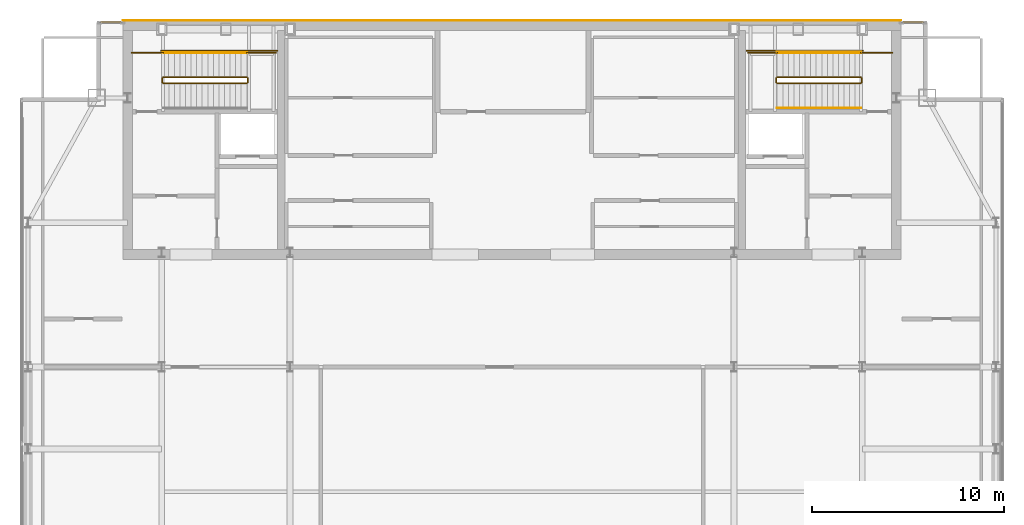
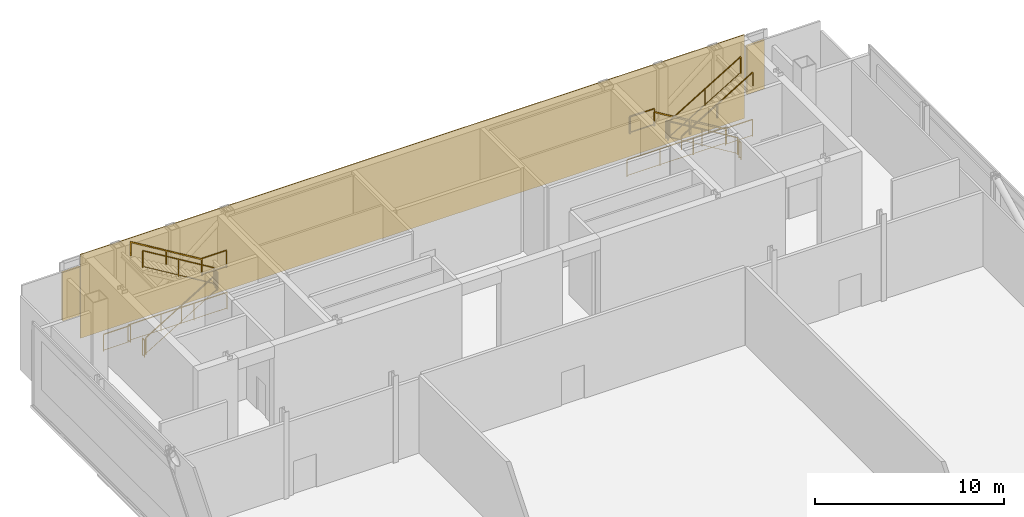
# One storey, part 22 of 22: 17 railings, 2 shading devices, 1 covering.
"""IFC4 building model written with IfcOpenShell, lengths in metres."""

from ifc_helpers import new_model, si_unit, direction, frame, origin, origin_2d, place, context, subcontext, project, spatial, polyline, rectangle, outline, extrude, material, layer, layer_set, type_object, element, save


model = new_model("IFC4")

# Units and contexts
model_context = context("Model", 3, precision=1e-05, world=origin(), true_north=direction((0.0, 1.0)))
body_context = subcontext(model_context, "Body", "Model", "MODEL_VIEW")
ifc_project = project(units=[si_unit("LENGTHUNIT", "METRE"), si_unit("AREAUNIT", "SQUARE_METRE"), si_unit("VOLUMEUNIT", "CUBIC_METRE"), si_unit("PLANEANGLEUNIT", "RADIAN"), si_unit("MASSUNIT", "GRAM", prefix="KILO")], contexts=[model_context])

# Site, building, storey
site_placement = place(None, origin())
site = spatial("IfcSite", under=ifc_project, at=site_placement, CompositionType="ELEMENT")
building_placement = place(site_placement, origin())
building = spatial("IfcBuilding", under=site, at=building_placement, Name="Khoronbel Lancet Exchange", CompositionType="ELEMENT")
storey_placement = place(building_placement, frame((0.0, 0.0, 373.0)))
storey = spatial("IfcBuildingStorey", under=building, at=storey_placement, Name="L95", CompositionType="ELEMENT", Elevation=373.0)

# Covering
ifc_material_1 = material(Name="Honed Egyptian Limestone & Bronze Rainscreen", Category="masonry")
ifc_layer_1 = layer(ifc_material_1, 0.050048828125, Name="Honed Egyptian Limestone & Bronze Rainscreen")
ifc_layer_set_1 = layer_set([ifc_layer_1], Name="Honed Egyptian Limestone & Bronze Rainscreen")
covering_type = type_object("IfcCoveringType", Name="COV-CLAD1", PredefinedType="CLADDING", material=ifc_layer_set_1)
covering_placement = place(storey_placement, origin())
element("IfcCovering", 1, at=covering_placement, inside=storey, type_object=covering_type, Name="Level L95 north rear-core stone and bronze rainscreen cladding", PredefinedType="CLADDING", context=body_context, shape_type="SweptSolid", body=[
    extrude(outline(polyline([(16.199951171875, 53.699951171875), (56.699951171875, 53.699951171875), (56.699951171875, 53.75), (16.199951171875, 53.75), (16.199951171875, 53.699951171875)])), origin(), (0.0, 0.0, 1.0), 5.39990234375),
])

# Railings
ifc_material_2 = material(Name="Painted Steel Balustrade", Category="steel")
railing_type_1 = type_object("IfcRailingType", Name="RL-STG110", PredefinedType="GUARDRAIL", material=ifc_material_2)
railing_1_placement = place(storey_placement, frame((18.300048828125, 50.449951171875, 0.175048828125)))
element("IfcRailing", 2, at=railing_1_placement, inside=storey, type_object=railing_type_1, Name="L95 ST1 stair guard 1", PredefinedType="GUARDRAIL", context=body_context, shape_type="SweptSolid", body=[
    extrude(rectangle(XDim=0.048095703125, YDim=0.048095703125, at=origin_2d()), frame((0.0, 0.0, 1.09619140625), z_axis=(0.856179964356, 0.0, 0.516677722218), x_axis=(0.0, 1.0, 0.0)), (0.0, 0.0, 1.0), 5.08056640625),
    extrude(rectangle(XDim=0.02392578125, YDim=0.02392578125, at=origin_2d()), frame((0.0, 0.0, 0.080078125), z_axis=(0.856179964356, 0.0, 0.516677722218), x_axis=(0.0, 1.0, 0.0)), (0.0, 0.0, 1.0), 5.08056640625),
    extrude(rectangle(XDim=0.0419921875, YDim=0.0419921875, at=origin_2d()), origin(), (0.0, 0.0, 1.0), 1.072021484375),
    extrude(rectangle(XDim=0.0419921875, YDim=0.0419921875, at=origin_2d()), frame((2.1748046875, 0.0, 1.3125)), (0.0, 0.0, 1.0), 1.072021484375),
    extrude(rectangle(XDim=0.0419921875, YDim=0.0419921875, at=origin_2d()), frame((4.349853515625, 0.0, 2.625)), (0.0, 0.0, 1.0), 1.072021484375),
])
railing_2_placement = place(storey_placement, frame((22.699951171875, 50.5, 2.800048828125)))
element("IfcRailing", 3, at=railing_2_placement, inside=storey, type_object=railing_type_1, Name="L95 ST1 stair guard 2", PredefinedType="GUARDRAIL", context=body_context, shape_type="SweptSolid", body=[
    extrude(rectangle(XDim=0.048095703125, YDim=0.048095703125, at=origin_2d()), frame((0.0, 0.0, 1.09619140625), z_axis=(0.0, 1.0, 0.0), x_axis=(-1.0, 0.0, 0.0)), (0.0, 0.0, 1.0), 0.219970703125),
    extrude(rectangle(XDim=0.02392578125, YDim=0.02392578125, at=origin_2d()), frame((0.0, 0.0, 0.080078125), z_axis=(0.0, 1.0, 0.0), x_axis=(-1.0, 0.0, 0.0)), (0.0, 0.0, 1.0), 0.219970703125),
    extrude(rectangle(XDim=0.0419921875, YDim=0.0419921875, at=origin_2d()), origin(), (0.0, 0.0, 1.0), 1.072021484375),
    extrude(rectangle(XDim=0.0419921875, YDim=0.0419921875, at=origin_2d()), frame((0.0, 0.219970703125, 0.0)), (0.0, 0.0, 1.0), 1.072021484375),
])
railing_3_placement = place(storey_placement, frame((22.64990234375, 52.050048828125, 2.800048828125)))
element("IfcRailing", 4, at=railing_3_placement, inside=storey, type_object=railing_type_1, Name="L95 ST1 stair guard 3", PredefinedType="GUARDRAIL", context=body_context, shape_type="SweptSolid", body=[
    extrude(rectangle(XDim=0.048095703125, YDim=0.048095703125, at=origin_2d()), frame((0.0, 0.0, 1.09619140625), z_axis=(1.0, 0.0, 0.0), x_axis=(0.0, 1.0, 0.0)), (0.0, 0.0, 1.0), 1.5),
    extrude(rectangle(XDim=0.02392578125, YDim=0.02392578125, at=origin_2d()), frame((0.0, 0.0, 0.080078125), z_axis=(1.0, 0.0, 0.0), x_axis=(0.0, 1.0, 0.0)), (0.0, 0.0, 1.0), 1.5),
    extrude(rectangle(XDim=0.0419921875, YDim=0.0419921875, at=origin_2d()), origin(), (0.0, 0.0, 1.0), 1.072021484375),
    extrude(rectangle(XDim=0.0419921875, YDim=0.0419921875, at=origin_2d()), frame((1.5, 0.0, 0.0)), (0.0, 0.0, 1.0), 1.072021484375),
])
railing_4_placement = place(storey_placement, frame((22.64990234375, 50.77001953125, 2.97509765625)))
element("IfcRailing", 5, at=railing_4_placement, inside=storey, type_object=railing_type_1, Name="L95 ST1 stair guard 4", PredefinedType="GUARDRAIL", context=body_context, shape_type="SweptSolid", body=[
    extrude(rectangle(XDim=0.048095703125, YDim=0.048095703125, at=origin_2d()), frame((0.0, 0.0, 1.09619140625), z_axis=(-0.856179964356, 0.0, 0.516677722218), x_axis=(0.0, -1.0, 0.0)), (0.0, 0.0, 1.0), 5.08056640625),
    extrude(rectangle(XDim=0.02392578125, YDim=0.02392578125, at=origin_2d()), frame((0.0, 0.0, 0.080078125), z_axis=(-0.856179964356, 0.0, 0.516677722218), x_axis=(0.0, -1.0, 0.0)), (0.0, 0.0, 1.0), 5.08056640625),
    extrude(rectangle(XDim=0.0419921875, YDim=0.0419921875, at=origin_2d()), origin(), (0.0, 0.0, 1.0), 1.072021484375),
    extrude(rectangle(XDim=0.0419921875, YDim=0.0419921875, at=origin_2d()), frame((-2.1748046875, 0.0, 1.3125)), (0.0, 0.0, 1.0), 1.072021484375),
    extrude(rectangle(XDim=0.0419921875, YDim=0.0419921875, at=origin_2d()), frame((-4.349853515625, 0.0, 2.625)), (0.0, 0.0, 1.0), 1.072021484375),
])
railing_5_placement = place(storey_placement, frame((18.25, 50.5, 0.0)))
element("IfcRailing", 6, at=railing_5_placement, inside=storey, type_object=railing_type_1, Name="L95 ST1 stair guard 5", PredefinedType="GUARDRAIL", context=body_context, shape_type="SweptSolid", body=[
    extrude(rectangle(XDim=0.048095703125, YDim=0.048095703125, at=origin_2d()), frame((0.0, 0.0, 1.09619140625), z_axis=(0.0, 1.0, 0.0), x_axis=(-1.0, 0.0, 0.0)), (0.0, 0.0, 1.0), 0.219970703125),
    extrude(rectangle(XDim=0.02392578125, YDim=0.02392578125, at=origin_2d()), frame((0.0, 0.0, 0.080078125), z_axis=(0.0, 1.0, 0.0), x_axis=(-1.0, 0.0, 0.0)), (0.0, 0.0, 1.0), 0.219970703125),
    extrude(rectangle(XDim=0.0419921875, YDim=0.0419921875, at=origin_2d()), origin(), (0.0, 0.0, 1.0), 1.072021484375),
    extrude(rectangle(XDim=0.0419921875, YDim=0.0419921875, at=origin_2d()), frame((0.0, 0.219970703125, 0.0)), (0.0, 0.0, 1.0), 1.072021484375),
])
railing_6_placement = place(storey_placement, frame((16.64990234375, 52.050048828125, 0.0)))
element("IfcRailing", 7, at=railing_6_placement, inside=storey, type_object=railing_type_1, Name="L95 ST1 stair guard 6", PredefinedType="GUARDRAIL", context=body_context, shape_type="SweptSolid", body=[
    extrude(rectangle(XDim=0.048095703125, YDim=0.048095703125, at=origin_2d()), frame((0.0, 0.0, 1.09619140625), z_axis=(1.0, 0.0, 0.0), x_axis=(0.0, 1.0, 0.0)), (0.0, 0.0, 1.0), 1.650146484375),
    extrude(rectangle(XDim=0.02392578125, YDim=0.02392578125, at=origin_2d()), frame((0.0, 0.0, 0.080078125), z_axis=(1.0, 0.0, 0.0), x_axis=(0.0, 1.0, 0.0)), (0.0, 0.0, 1.0), 1.650146484375),
    extrude(rectangle(XDim=0.0419921875, YDim=0.0419921875, at=origin_2d()), origin(), (0.0, 0.0, 1.0), 1.072021484375),
    extrude(rectangle(XDim=0.0419921875, YDim=0.0419921875, at=origin_2d()), frame((1.650146484375, 0.0, 0.0)), (0.0, 0.0, 1.0), 1.072021484375),
])
railing_7_placement = place(storey_placement, frame((18.199951171875, 52.14990234375, 0.0)))
element("IfcRailing", 8, at=railing_7_placement, inside=storey, type_object=railing_type_1, Name="L95 ST1 stair guard 7", PredefinedType="GUARDRAIL", context=body_context, shape_type="SweptSolid", body=[
    extrude(rectangle(XDim=0.048095703125, YDim=0.048095703125, at=origin_2d()), frame((0.0, 0.0, 1.09619140625), z_axis=(1.0, 0.0, 0.0), x_axis=(0.0, 1.0, 0.0)), (0.0, 0.0, 1.0), 6.050048828125),
    extrude(rectangle(XDim=0.02392578125, YDim=0.02392578125, at=origin_2d()), frame((0.0, 0.0, 0.080078125), z_axis=(1.0, 0.0, 0.0), x_axis=(0.0, 1.0, 0.0)), (0.0, 0.0, 1.0), 6.050048828125),
    extrude(rectangle(XDim=0.0419921875, YDim=0.0419921875, at=origin_2d()), origin(), (0.0, 0.0, 1.0), 1.072021484375),
    extrude(rectangle(XDim=0.0419921875, YDim=0.0419921875, at=origin_2d()), frame((2.0166015625, 0.0, 0.0)), (0.0, 0.0, 1.0), 1.072021484375),
    extrude(rectangle(XDim=0.0419921875, YDim=0.0419921875, at=origin_2d()), frame((4.033447265625, 0.0, 0.0)), (0.0, 0.0, 1.0), 1.072021484375),
    extrude(rectangle(XDim=0.0419921875, YDim=0.0419921875, at=origin_2d()), frame((6.050048828125, 0.0, 0.0)), (0.0, 0.0, 1.0), 1.072021484375),
])
railing_8_placement = place(storey_placement, frame((54.60009765625, 50.77001953125, 0.175048828125)))
element("IfcRailing", 9, at=railing_8_placement, inside=storey, type_object=railing_type_1, Name="L95 ST2 stair guard 1", PredefinedType="GUARDRAIL", context=body_context, shape_type="SweptSolid", body=[
    extrude(rectangle(XDim=0.048095703125, YDim=0.048095703125, at=origin_2d()), frame((0.0, 0.0, 1.09619140625), z_axis=(-0.856192791889, 0.0, 0.516656465282), x_axis=(0.0, -1.0, 0.0)), (0.0, 0.0, 1.0), 5.080810546875),
    extrude(rectangle(XDim=0.02392578125, YDim=0.02392578125, at=origin_2d()), frame((0.0, 0.0, 0.080078125), z_axis=(-0.856192791889, 0.0, 0.516656465282), x_axis=(0.0, -1.0, 0.0)), (0.0, 0.0, 1.0), 5.080810546875),
    extrude(rectangle(XDim=0.0419921875, YDim=0.0419921875, at=origin_2d()), origin(), (0.0, 0.0, 1.0), 1.072021484375),
    extrude(rectangle(XDim=0.0419921875, YDim=0.0419921875, at=origin_2d()), frame((-2.175048828125, 0.0, 1.3125)), (0.0, 0.0, 1.0), 1.072021484375),
    extrude(rectangle(XDim=0.0419921875, YDim=0.0419921875, at=origin_2d()), frame((-4.35009765625, 0.0, 2.625)), (0.0, 0.0, 1.0), 1.072021484375),
])
railing_9_placement = place(storey_placement, frame((50.199951171875, 50.719970703125, 2.800048828125)))
element("IfcRailing", 10, at=railing_9_placement, inside=storey, type_object=railing_type_1, Name="L95 ST2 stair guard 2", PredefinedType="GUARDRAIL", context=body_context, shape_type="SweptSolid", body=[
    extrude(rectangle(XDim=0.048095703125, YDim=0.048095703125, at=origin_2d()), frame((0.0, 0.0, 1.09619140625), z_axis=(0.0, -1.0, 0.0), x_axis=(1.0, 0.0, 0.0)), (0.0, 0.0, 1.0), 0.219970703125),
    extrude(rectangle(XDim=0.02392578125, YDim=0.02392578125, at=origin_2d()), frame((0.0, 0.0, 0.080078125), z_axis=(0.0, -1.0, 0.0), x_axis=(1.0, 0.0, 0.0)), (0.0, 0.0, 1.0), 0.219970703125),
    extrude(rectangle(XDim=0.0419921875, YDim=0.0419921875, at=origin_2d()), origin(), (0.0, 0.0, 1.0), 1.072021484375),
    extrude(rectangle(XDim=0.0419921875, YDim=0.0419921875, at=origin_2d()), frame((0.0, -0.219970703125, 0.0)), (0.0, 0.0, 1.0), 1.072021484375),
])
railing_10_placement = place(storey_placement, frame((50.25, 52.050048828125, 2.800048828125)))
element("IfcRailing", 11, at=railing_10_placement, inside=storey, type_object=railing_type_1, Name="L95 ST2 stair guard 3", PredefinedType="GUARDRAIL", context=body_context, shape_type="SweptSolid", body=[
    extrude(rectangle(XDim=0.048095703125, YDim=0.048095703125, at=origin_2d()), frame((0.0, 0.0, 1.09619140625), z_axis=(-1.0, 0.0, 0.0), x_axis=(0.0, -1.0, 0.0)), (0.0, 0.0, 1.0), 1.5),
    extrude(rectangle(XDim=0.02392578125, YDim=0.02392578125, at=origin_2d()), frame((0.0, 0.0, 0.080078125), z_axis=(-1.0, 0.0, 0.0), x_axis=(0.0, -1.0, 0.0)), (0.0, 0.0, 1.0), 1.5),
    extrude(rectangle(XDim=0.0419921875, YDim=0.0419921875, at=origin_2d()), origin(), (0.0, 0.0, 1.0), 1.072021484375),
    extrude(rectangle(XDim=0.0419921875, YDim=0.0419921875, at=origin_2d()), frame((-1.5, 0.0, 0.0)), (0.0, 0.0, 1.0), 1.072021484375),
])
railing_11_placement = place(storey_placement, frame((50.25, 50.449951171875, 2.97509765625)))
element("IfcRailing", 12, at=railing_11_placement, inside=storey, type_object=railing_type_1, Name="L95 ST2 stair guard 4", PredefinedType="GUARDRAIL", context=body_context, shape_type="SweptSolid", body=[
    extrude(rectangle(XDim=0.048095703125, YDim=0.048095703125, at=origin_2d()), frame((0.0, 0.0, 1.09619140625), z_axis=(0.856192791889, 0.0, 0.516656465282), x_axis=(0.0, 1.0, 0.0)), (0.0, 0.0, 1.0), 5.080810546875),
    extrude(rectangle(XDim=0.02392578125, YDim=0.02392578125, at=origin_2d()), frame((0.0, 0.0, 0.080078125), z_axis=(0.856192791889, 0.0, 0.516656465282), x_axis=(0.0, 1.0, 0.0)), (0.0, 0.0, 1.0), 5.080810546875),
    extrude(rectangle(XDim=0.0419921875, YDim=0.0419921875, at=origin_2d()), origin(), (0.0, 0.0, 1.0), 1.072021484375),
    extrude(rectangle(XDim=0.0419921875, YDim=0.0419921875, at=origin_2d()), frame((2.175048828125, 0.0, 1.3125)), (0.0, 0.0, 1.0), 1.072021484375),
    extrude(rectangle(XDim=0.0419921875, YDim=0.0419921875, at=origin_2d()), frame((4.35009765625, 0.0, 2.625)), (0.0, 0.0, 1.0), 1.072021484375),
])
railing_12_placement = place(storey_placement, frame((54.64990234375, 50.719970703125, 0.0)))
element("IfcRailing", 13, at=railing_12_placement, inside=storey, type_object=railing_type_1, Name="L95 ST2 stair guard 5", PredefinedType="GUARDRAIL", context=body_context, shape_type="SweptSolid", body=[
    extrude(rectangle(XDim=0.048095703125, YDim=0.048095703125, at=origin_2d()), frame((0.0, 0.0, 1.09619140625), z_axis=(0.0, -1.0, 0.0), x_axis=(1.0, 0.0, 0.0)), (0.0, 0.0, 1.0), 0.219970703125),
    extrude(rectangle(XDim=0.02392578125, YDim=0.02392578125, at=origin_2d()), frame((0.0, 0.0, 0.080078125), z_axis=(0.0, -1.0, 0.0), x_axis=(1.0, 0.0, 0.0)), (0.0, 0.0, 1.0), 0.219970703125),
    extrude(rectangle(XDim=0.0419921875, YDim=0.0419921875, at=origin_2d()), origin(), (0.0, 0.0, 1.0), 1.072021484375),
    extrude(rectangle(XDim=0.0419921875, YDim=0.0419921875, at=origin_2d()), frame((0.0, -0.219970703125, 0.0)), (0.0, 0.0, 1.0), 1.072021484375),
])
railing_13_placement = place(storey_placement, frame((56.25, 52.050048828125, 0.0)))
element("IfcRailing", 14, at=railing_13_placement, inside=storey, type_object=railing_type_1, Name="L95 ST2 stair guard 6", PredefinedType="GUARDRAIL", context=body_context, shape_type="SweptSolid", body=[
    extrude(rectangle(XDim=0.048095703125, YDim=0.048095703125, at=origin_2d()), frame((0.0, 0.0, 1.09619140625), z_axis=(-1.0, 0.0, 0.0), x_axis=(0.0, -1.0, 0.0)), (0.0, 0.0, 1.0), 1.64990234375),
    extrude(rectangle(XDim=0.02392578125, YDim=0.02392578125, at=origin_2d()), frame((0.0, 0.0, 0.080078125), z_axis=(-1.0, 0.0, 0.0), x_axis=(0.0, -1.0, 0.0)), (0.0, 0.0, 1.0), 1.64990234375),
    extrude(rectangle(XDim=0.0419921875, YDim=0.0419921875, at=origin_2d()), origin(), (0.0, 0.0, 1.0), 1.072021484375),
    extrude(rectangle(XDim=0.0419921875, YDim=0.0419921875, at=origin_2d()), frame((-1.64990234375, 0.0, 0.0)), (0.0, 0.0, 1.0), 1.072021484375),
])
railing_14_placement = place(storey_placement, frame((54.699951171875, 52.14990234375, 0.0)))
element("IfcRailing", 15, at=railing_14_placement, inside=storey, type_object=railing_type_1, Name="L95 ST2 stair guard 7", PredefinedType="GUARDRAIL", context=body_context, shape_type="SweptSolid", body=[
    extrude(rectangle(XDim=0.048095703125, YDim=0.048095703125, at=origin_2d()), frame((0.0, 0.0, 1.09619140625), z_axis=(-1.0, 0.0, 0.0), x_axis=(0.0, -1.0, 0.0)), (0.0, 0.0, 1.0), 6.050048828125),
    extrude(rectangle(XDim=0.02392578125, YDim=0.02392578125, at=origin_2d()), frame((0.0, 0.0, 0.080078125), z_axis=(-1.0, 0.0, 0.0), x_axis=(0.0, -1.0, 0.0)), (0.0, 0.0, 1.0), 6.050048828125),
    extrude(rectangle(XDim=0.0419921875, YDim=0.0419921875, at=origin_2d()), origin(), (0.0, 0.0, 1.0), 1.072021484375),
    extrude(rectangle(XDim=0.0419921875, YDim=0.0419921875, at=origin_2d()), frame((-2.0166015625, 0.0, 0.0)), (0.0, 0.0, 1.0), 1.072021484375),
    extrude(rectangle(XDim=0.0419921875, YDim=0.0419921875, at=origin_2d()), frame((-4.033447265625, 0.0, 0.0)), (0.0, 0.0, 1.0), 1.072021484375),
    extrude(rectangle(XDim=0.0419921875, YDim=0.0419921875, at=origin_2d()), frame((-6.050048828125, 0.0, 0.0)), (0.0, 0.0, 1.0), 1.072021484375),
])
ifc_material_3 = material(Name="Brushed Stainless Steel 316", Category="steel")
railing_type_2 = type_object("IfcRailingType", Name="RL-STH92", PredefinedType="HANDRAIL", material=ifc_material_3)
railing_15_placement = place(storey_placement, frame((22.64990234375, 52.050048828125, 2.97509765625)))
element("IfcRailing", 16, at=railing_15_placement, inside=storey, type_object=railing_type_2, Name="L95 ST1 stair handrail 2", PredefinedType="HANDRAIL", context=body_context, shape_type="SweptSolid", body=[
    extrude(rectangle(XDim=0.048095703125, YDim=0.048095703125, at=origin_2d()), frame((0.0, 0.0, 0.8759765625), z_axis=(-0.856179964356, 0.0, 0.516677722218), x_axis=(0.0, -1.0, 0.0)), (0.0, 0.0, 1.0), 5.08056640625),
    extrude(rectangle(XDim=0.0419921875, YDim=0.0419921875, at=origin_2d()), origin(), (0.0, 0.0, 1.0), 0.851806640625),
    extrude(rectangle(XDim=0.0419921875, YDim=0.0419921875, at=origin_2d()), frame((-2.1748046875, 0.0, 1.3125)), (0.0, 0.0, 1.0), 0.851806640625),
    extrude(rectangle(XDim=0.0419921875, YDim=0.0419921875, at=origin_2d()), frame((-4.349853515625, 0.0, 2.625)), (0.0, 0.0, 1.0), 0.851806640625),
])
railing_16_placement = place(storey_placement, frame((54.60009765625, 52.050048828125, 0.175048828125)))
element("IfcRailing", 17, at=railing_16_placement, inside=storey, type_object=railing_type_2, Name="L95 ST2 stair handrail 1", PredefinedType="HANDRAIL", context=body_context, shape_type="SweptSolid", body=[
    extrude(rectangle(XDim=0.048095703125, YDim=0.048095703125, at=origin_2d()), frame((0.0, 0.0, 0.8759765625), z_axis=(-0.856192791889, 0.0, 0.516656465282), x_axis=(0.0, -1.0, 0.0)), (0.0, 0.0, 1.0), 5.080810546875),
    extrude(rectangle(XDim=0.0419921875, YDim=0.0419921875, at=origin_2d()), origin(), (0.0, 0.0, 1.0), 0.851806640625),
    extrude(rectangle(XDim=0.0419921875, YDim=0.0419921875, at=origin_2d()), frame((-2.175048828125, 0.0, 1.3125)), (0.0, 0.0, 1.0), 0.851806640625),
    extrude(rectangle(XDim=0.0419921875, YDim=0.0419921875, at=origin_2d()), frame((-4.35009765625, 0.0, 2.625)), (0.0, 0.0, 1.0), 0.851806640625),
])
railing_17_placement = place(storey_placement, frame((50.25, 49.169921875, 2.97509765625)))
element("IfcRailing", 18, at=railing_17_placement, inside=storey, type_object=railing_type_2, Name="L95 ST2 stair handrail 2", PredefinedType="HANDRAIL", context=body_context, shape_type="SweptSolid", body=[
    extrude(rectangle(XDim=0.048095703125, YDim=0.048095703125, at=origin_2d()), frame((0.0, 0.0, 0.8759765625), z_axis=(0.856192791889, 0.0, 0.516656465282), x_axis=(0.0, 1.0, 0.0)), (0.0, 0.0, 1.0), 5.080810546875),
    extrude(rectangle(XDim=0.0419921875, YDim=0.0419921875, at=origin_2d()), origin(), (0.0, 0.0, 1.0), 0.851806640625),
    extrude(rectangle(XDim=0.0419921875, YDim=0.0419921875, at=origin_2d()), frame((2.175048828125, 0.0, 1.3125)), (0.0, 0.0, 1.0), 0.851806640625),
    extrude(rectangle(XDim=0.0419921875, YDim=0.0419921875, at=origin_2d()), frame((4.35009765625, 0.0, 2.625)), (0.0, 0.0, 1.0), 0.851806640625),
])

# Shading devices
ifc_material_4 = material(Name="Bronze-Anodised Aluminium 6063-T6", Category="aluminium")
ifc_layer_2 = layer(ifc_material_4, 0.159912109375, Name="Bronze-Anodised Aluminium 6063-T6")
ifc_layer_set_2 = layer_set([ifc_layer_2], Name="Bronze-Anodised Aluminium 6063-T6")
shading_device_type = type_object("IfcShadingDeviceType", Name="SHD-LVR2", PredefinedType="JALOUSIE", material=ifc_layer_set_2)
for number, where, z_axis, x_axis, name in (
    (19, (15.580078125, 53.64990234375, 1.57763671875), (0.0, 0.0, 1.0), (-1.0, 0.0, 0.0), "Sand-trap bronze acoustic louvre CW-L95-NWFLK-1"),
    (20, (57.320068359375, 53.64990234375, 1.57763671875), (0.0, 0.0, 1.0), (-1.0, 0.0, 0.0), "Sand-trap bronze acoustic louvre CW-L95-NEFLK-1"),
):
    element("IfcShadingDevice", number, at=place(storey_placement, frame(where, z_axis=z_axis, x_axis=x_axis)), inside=storey, type_object=shading_device_type, Name=name, PredefinedType="JALOUSIE", context=body_context, shape_type="SweptSolid", body=[
        extrude(rectangle(XDim=1.071044921875, YDim=0.1201171875, at=origin_2d()), origin(), (0.0, 0.0, 1.0), 3.124755859375),
    ])

save(model, "model.ifc")
